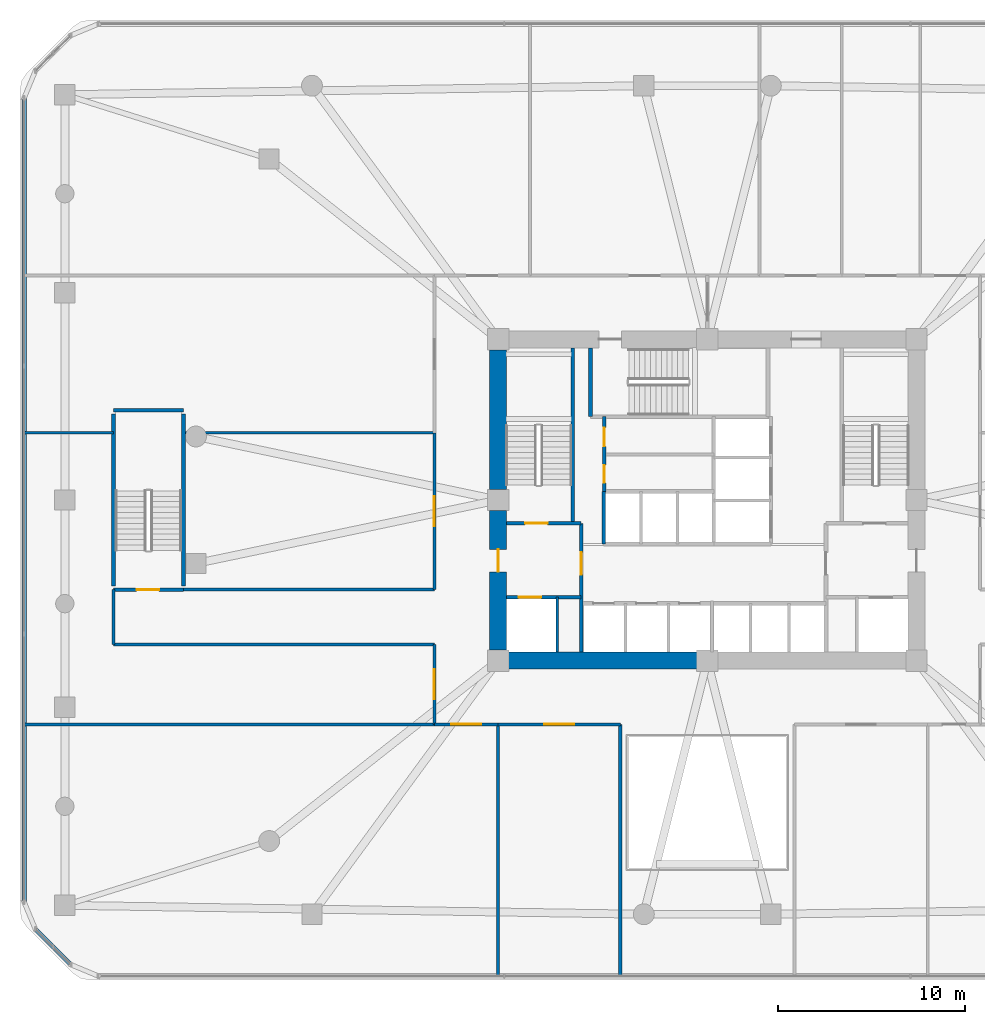
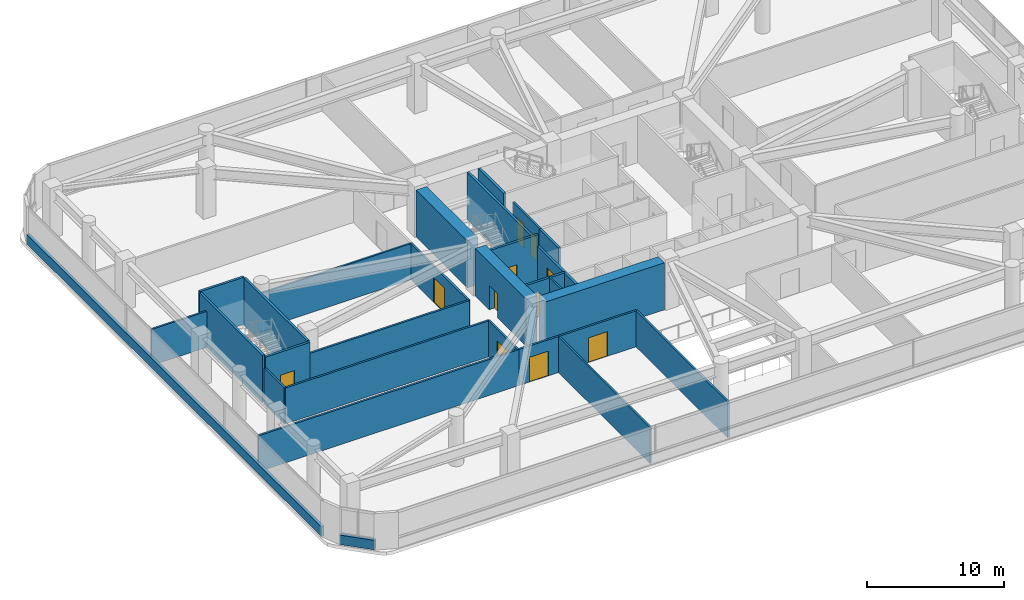
# One storey, part 16 of 21: 29 walls, 11 doors, 11 openings.
"""IFC4 building model written with IfcOpenShell, lengths in metres."""

from ifc_helpers import new_model, si_unit, derived_unit, direction, frame, frame_2d, origin, place, context, subcontext, project, spatial, rectangle, extrude, material, layer, layer_set, type_object, element, fill, save


model = new_model("IFC4")

# Units and contexts
model_context = context("Model", 3, precision=1e-05, world=origin(), true_north=direction((0.0, 1.0)))
body_context = subcontext(model_context, "Body", "Model", "MODEL_VIEW")
ifc_project = project(units=[si_unit("LENGTHUNIT", "METRE"), si_unit("AREAUNIT", "SQUARE_METRE"), si_unit("VOLUMEUNIT", "CUBIC_METRE"), si_unit("PLANEANGLEUNIT", "RADIAN"), si_unit("MASSUNIT", "GRAM", prefix="KILO"), derived_unit("THERMALTRANSMITTANCEUNIT", [(si_unit("POWERUNIT", "WATT"), 1), (si_unit("LENGTHUNIT", "METRE"), -2), (si_unit("THERMODYNAMICTEMPERATUREUNIT", "KELVIN"), -1)])], contexts=[model_context])

# Site, building, storey
site_placement = place(None, origin())
site = spatial("IfcSite", under=ifc_project, at=site_placement, CompositionType="ELEMENT")
building_placement = place(site_placement, origin())
building = spatial("IfcBuilding", under=site, at=building_placement, Name="Koralith Skygarden Medical Center", CompositionType="ELEMENT")
storey_placement = place(building_placement, frame((0.0, 0.0, 5.39990234375)))
storey = spatial("IfcBuildingStorey", under=building, at=storey_placement, Name="L01", CompositionType="ELEMENT", Elevation=5.39990234375)

# Walls
ifc_material_1 = material(Name="Gypsum Board Partition")
ifc_layer_1 = layer(ifc_material_1, 0.14990234375)
ifc_layer_set_1 = layer_set([ifc_layer_1], Name="Gypsum Board Partition")
wall_type_1 = type_object("IfcWallType", Name="Clinical Acoustic Partition 150", PredefinedType="PARTITIONING", material=ifc_layer_set_1)
wall_1_placement = place(storey_placement, frame((25.800048828125, 0.43994140625, 0.0), z_axis=(0.0, 0.0, 1.0), x_axis=(0.0, 1.0, 0.0)))
element("IfcWall", 1, at=wall_1_placement, inside=storey, type_object=wall_type_1, Name="L01 Clinical Acoustic Partition 150 W-PDPART-L01-SL-1", PredefinedType="PARTITIONING", context=body_context, shape_type="SweptSolid", body=[
    extrude(rectangle(XDim=13.449951171875, YDim=0.14990234375, at=frame_2d((6.72509765625, 0.0))), origin(), (0.0, 0.0, 1.0), 3.210205078125),
])
wall_2_placement = place(storey_placement, frame((8.949951171875, 29.5, 0.0), z_axis=(0.0, 0.0, 1.0), x_axis=(1.0, 0.0, 0.0)))
element("IfcWall", 2, at=wall_2_placement, inside=storey, type_object=wall_type_1, Name="L01 Clinical Acoustic Partition 150 W-PDPART-L01-W-NA", PredefinedType="PARTITIONING", context=body_context, shape_type="SweptSolid", body=[
    extrude(rectangle(XDim=13.43994140625, YDim=0.14990234375, at=frame_2d((6.719970703125, 0.0))), origin(), (0.0, 0.0, 1.0), 3.210205078125),
])
wall_3_placement = place(storey_placement, frame((5.199951171875, 29.5, 0.0), z_axis=(0.0, 0.0, 1.0), x_axis=(-1.0, 0.0, 0.0)))
element("IfcWall", 3, at=wall_3_placement, inside=storey, type_object=wall_type_1, Name="L01 Clinical Acoustic Partition 150 W-PDPART-L01-W-NB", PredefinedType="PARTITIONING", context=body_context, shape_type="SweptSolid", body=[
    extrude(rectangle(XDim=4.760009765625, YDim=0.14990234375, at=frame_2d((2.3798828125, 0.0))), origin(), (0.0, 0.0, 1.0), 3.210205078125),
])
ifc_layer_2 = layer(ifc_material_1, 0.1650390625)
ifc_layer_set_2 = layer_set([ifc_layer_2], Name="Gypsum Board Partition")
wall_type_2 = type_object("IfcWallType", Name="Clinical Corridor Partition 165", PredefinedType="PARTITIONING", material=ifc_layer_set_2)
wall_4_placement = place(storey_placement, frame((0.43994140625, 13.889892578125, 0.0), z_axis=(0.0, 0.0, 1.0), x_axis=(1.0, 0.0, 0.0)))
element("IfcWall", 4, at=wall_4_placement, inside=storey, type_object=wall_type_2, Name="L01 Clinical Corridor Partition 165 W-WB-L01-SW", PredefinedType="PARTITIONING", context=body_context, shape_type="SweptSolid", body=[
    extrude(rectangle(XDim=21.949951171875, YDim=0.1650390625, at=frame_2d((10.97509765625, 0.0))), origin(), (0.0, 0.0, 1.0), 3.210205078125),
])
wall_5_placement = place(storey_placement, frame((5.199951171875, 18.169921875, 0.0), z_axis=(0.0, 0.0, 1.0), x_axis=(1.0, 0.0, 0.0)))
element("IfcWall", 5, at=wall_5_placement, inside=storey, type_object=wall_type_2, Name="L01 Clinical Corridor Partition 165 W-PARM-L01-WS", PredefinedType="PARTITIONING", context=body_context, shape_type="SweptSolid", body=[
    extrude(rectangle(XDim=17.18994140625, YDim=0.1650390625, at=frame_2d((8.594970703125, 0.0))), origin(), (0.0, 0.0, 1.0), 3.210205078125),
])
wall_6_placement = place(storey_placement, frame((5.199951171875, 18.169921875, 0.0), z_axis=(0.0, 0.0, 1.0), x_axis=(0.0, 1.0, 0.0)))
element("IfcWall", 6, at=wall_6_placement, inside=storey, type_object=wall_type_2, Name="L01 Clinical Corridor Partition 165 W-PARM-L01-WW", PredefinedType="PARTITIONING", context=body_context, shape_type="SweptSolid", body=[
    extrude(rectangle(XDim=2.93017578125, YDim=0.1650390625, at=frame_2d((1.465087890625, 0.0))), origin(), (0.0, 0.0, 1.0), 3.210205078125),
])
wall_7_placement = place(storey_placement, frame((8.949951171875, 21.10009765625, 0.0), z_axis=(0.0, 0.0, 1.0), x_axis=(1.0, 0.0, 0.0)))
element("IfcWall", 7, at=wall_7_placement, inside=storey, type_object=wall_type_2, Name="L01 Clinical Corridor Partition 165 W-PARM-L01-WN", PredefinedType="PARTITIONING", context=body_context, shape_type="SweptSolid", body=[
    extrude(rectangle(XDim=13.43994140625, YDim=0.1650390625, at=frame_2d((6.719970703125, 0.0))), origin(), (0.0, 0.0, 1.0), 3.210205078125),
])
wall_8_placement = place(storey_placement, frame((32.340087890625, 0.43994140625, 0.0), z_axis=(0.0, 0.0, 1.0), x_axis=(0.0, 1.0, 0.0)))
element("IfcWall", 8, at=wall_8_placement, inside=storey, type_object=wall_type_2, Name="L01 Clinical Corridor Partition 165 W-PATR-L01-W", PredefinedType="PARTITIONING", context=body_context, shape_type="SweptSolid", body=[
    extrude(rectangle(XDim=13.449951171875, YDim=0.1650390625, at=frame_2d((6.72509765625, 0.0))), origin(), (0.0, 0.0, 1.0), 3.210205078125),
])

# Wall, opening, door
wall_9_placement = place(storey_placement, frame((22.389892578125, 13.889892578125, 0.0), z_axis=(0.0, 0.0, 1.0), x_axis=(1.0, 0.0, 0.0)))
wall_9 = element("IfcWall", 9, at=wall_9_placement, inside=storey, type_object=wall_type_2, Name="L01 Clinical Corridor Partition 165 W-PDCOR-L01-SL-1", PredefinedType="PARTITIONING", context=body_context, shape_type="SweptSolid", body=[
    extrude(rectangle(XDim=3.41015625, YDim=0.1650390625, at=frame_2d((1.705078125, 0.0))), origin(), (0.0, 0.0, 1.0), 3.210205078125),
])
opening_1_placement = place(wall_9_placement, frame((0.905029296875, 0.0, 0.0)))
opening_1 = element("IfcOpeningElement", 10, at=opening_1_placement, cuts=wall_9, Name="Opening D-DBL", PredefinedType="OPENING", context=body_context, shape_type="SweptSolid", body=[
    extrude(rectangle(XDim=1.60009765625, YDim=2.199951171875, at=frame_2d((0.800048828125, 1.10009765625))), frame((0.0, 0.092529296875, 0.0), z_axis=(0.0, -1.0, 0.0), x_axis=(1.0, 0.0, 0.0)), (0.0, 0.0, 1.0), 0.18505859375),
])
ifc_material_2 = material(Name="Aluminium 6063-T6", Category="aluminium")
door_type_1 = type_object("IfcDoorType", Name="Double Clinical Suite Door D-DBL 1600", OperationType="NOTDEFINED", PredefinedType="DOOR", material=ifc_material_2)
door_1_placement = place(opening_1_placement, frame((1.60009765625, 0.0, 0.0), z_axis=(0.0, 0.0, 1.0), x_axis=(-1.0, 0.0, 0.0)))
door_1 = element("IfcDoor", 11, at=door_1_placement, inside=storey, type_object=door_type_1, Name="L01 Outpatient Orthopaedic Clinic Door", OperationType="DOUBLE_DOOR_SINGLE_SWING", OverallHeight=2.199951171875, OverallWidth=1.60009765625, PredefinedType="DOOR", context=body_context, shape_type="SweptSolid", body=[
    extrude(rectangle(XDim=1.60009765625, YDim=2.199951171875, at=frame_2d((0.800048828125, 1.10009765625))), frame((0.0, 0.02490234375, 0.0), z_axis=(0.0, -1.0, 0.0), x_axis=(1.0, 0.0, 0.0)), (0.0, 0.0, 1.0), 0.050048828125),
])
fill(opening_1, door_1)

wall_10_placement = place(storey_placement, frame((25.800048828125, 13.889892578125, 0.0), z_axis=(0.0, 0.0, 1.0), x_axis=(1.0, 0.0, 0.0)))
wall_10 = element("IfcWall", 12, at=wall_10_placement, inside=storey, type_object=wall_type_2, Name="L01 Clinical Corridor Partition 165 W-PDCOR-L01-SL-2", PredefinedType="PARTITIONING", context=body_context, shape_type="SweptSolid", body=[
    extrude(rectangle(XDim=6.5400390625, YDim=0.1650390625, at=frame_2d((3.27001953125, 0.0))), origin(), (0.0, 0.0, 1.0), 3.210205078125),
])
opening_2_placement = place(wall_10_placement, frame((2.469970703125, 0.0, 0.0)))
opening_2 = element("IfcOpeningElement", 13, at=opening_2_placement, cuts=wall_10, Name="Opening D-DBL", PredefinedType="OPENING", context=body_context, shape_type="SweptSolid", body=[
    extrude(rectangle(XDim=1.60009765625, YDim=2.199951171875, at=frame_2d((0.800048828125, 1.10009765625))), frame((0.0, 0.092529296875, 0.0), z_axis=(0.0, -1.0, 0.0), x_axis=(1.0, 0.0, 0.0)), (0.0, 0.0, 1.0), 0.18505859375),
])
door_2_placement = place(opening_2_placement, frame((1.60009765625, 0.0, 0.0), z_axis=(0.0, 0.0, 1.0), x_axis=(-1.0, 0.0, 0.0)))
door_2 = element("IfcDoor", 14, at=door_2_placement, inside=storey, type_object=door_type_1, Name="L01 Outpatient Pulmonary Consult Office Door", OperationType="DOUBLE_DOOR_SINGLE_SWING", OverallHeight=2.199951171875, OverallWidth=1.60009765625, PredefinedType="DOOR", context=body_context, shape_type="SweptSolid", body=[
    extrude(rectangle(XDim=1.60009765625, YDim=2.199951171875, at=frame_2d((0.800048828125, 1.10009765625))), frame((0.0, 0.02490234375, 0.0), z_axis=(0.0, -1.0, 0.0), x_axis=(1.0, 0.0, 0.0)), (0.0, 0.0, 1.0), 0.050048828125),
])
fill(opening_2, door_2)

wall_11_placement = place(storey_placement, frame((22.389892578125, 13.889892578125, 0.0), z_axis=(0.0, 0.0, 1.0), x_axis=(0.0, 1.0, 0.0)))
wall_11 = element("IfcWall", 15, at=wall_11_placement, inside=storey, type_object=wall_type_2, Name="L01 Clinical Corridor Partition 165 W-PDCOR-L01-W-1", PredefinedType="PARTITIONING", context=body_context, shape_type="SweptSolid", body=[
    extrude(rectangle(XDim=4.280029296875, YDim=0.1650390625, at=frame_2d((2.14013671875, 0.0))), origin(), (0.0, 0.0, 1.0), 3.210205078125),
])
opening_3_placement = place(wall_11_placement, frame((1.340087890625, 0.0, 0.0)))
opening_3 = element("IfcOpeningElement", 16, at=opening_3_placement, cuts=wall_11, Name="Opening D-DBL", PredefinedType="OPENING", context=body_context, shape_type="SweptSolid", body=[
    extrude(rectangle(XDim=1.60009765625, YDim=2.199951171875, at=frame_2d((0.800048828125, 1.10009765625))), frame((0.0, 0.092529296875, 0.0), z_axis=(0.0, -1.0, 0.0), x_axis=(1.0, 0.0, 0.0)), (0.0, 0.0, 1.0), 0.18505859375),
])
door_3_placement = place(opening_3_placement, frame((1.60009765625, 0.0, 0.0), z_axis=(0.0, 0.0, 1.0), x_axis=(-1.0, 0.0, 0.0)))
door_3 = element("IfcDoor", 17, at=door_3_placement, inside=storey, type_object=door_type_1, Name="L01 Outpatient Pulmonary Function Lab Door", OperationType="DOUBLE_DOOR_SINGLE_SWING", OverallHeight=2.199951171875, OverallWidth=1.60009765625, PredefinedType="DOOR", context=body_context, shape_type="SweptSolid", body=[
    extrude(rectangle(XDim=1.60009765625, YDim=2.199951171875, at=frame_2d((0.800048828125, 1.10009765625))), frame((0.0, 0.02490234375, 0.0), z_axis=(0.0, -1.0, 0.0), x_axis=(1.0, 0.0, 0.0)), (0.0, 0.0, 1.0), 0.050048828125),
])
fill(opening_3, door_3)

wall_12_placement = place(storey_placement, frame((22.389892578125, 21.10009765625, 0.0), z_axis=(0.0, 0.0, 1.0), x_axis=(0.0, 1.0, 0.0)))
wall_12 = element("IfcWall", 18, at=wall_12_placement, inside=storey, type_object=wall_type_2, Name="L01 Clinical Corridor Partition 165 W-PDCOR-L01-W-2", PredefinedType="PARTITIONING", context=body_context, shape_type="SweptSolid", body=[
    extrude(rectangle(XDim=8.39990234375, YDim=0.1650390625, at=frame_2d((4.199951171875, 0.0))), origin(), (0.0, 0.0, 1.0), 3.210205078125),
])
opening_4_placement = place(wall_12_placement, frame((3.39990234375, 0.0, 0.0)))
opening_4 = element("IfcOpeningElement", 19, at=opening_4_placement, cuts=wall_12, Name="Opening D-DBL", PredefinedType="OPENING", context=body_context, shape_type="SweptSolid", body=[
    extrude(rectangle(XDim=1.60009765625, YDim=2.199951171875, at=frame_2d((0.800048828125, 1.10009765625))), frame((0.0, 0.092529296875, 0.0), z_axis=(0.0, -1.0, 0.0), x_axis=(1.0, 0.0, 0.0)), (0.0, 0.0, 1.0), 0.18505859375),
])
door_4_placement = place(opening_4_placement, frame((1.60009765625, 0.0, 0.0), z_axis=(0.0, 0.0, 1.0), x_axis=(-1.0, 0.0, 0.0)))
door_4 = element("IfcDoor", 20, at=door_4_placement, inside=storey, type_object=door_type_1, Name="L01 Clinical Trials Consultation Office Door", OperationType="DOUBLE_DOOR_SINGLE_SWING", OverallHeight=2.199951171875, OverallWidth=1.60009765625, PredefinedType="DOOR", context=body_context, shape_type="SweptSolid", body=[
    extrude(rectangle(XDim=1.60009765625, YDim=2.199951171875, at=frame_2d((0.800048828125, 1.10009765625))), frame((0.0, 0.02490234375, 0.0), z_axis=(0.0, -1.0, 0.0), x_axis=(1.0, 0.0, 0.0)), (0.0, 0.0, 1.0), 0.050048828125),
])
fill(opening_4, door_4)

ifc_layer_3 = layer(ifc_material_1, 0.199951171875)
ifc_layer_set_3 = layer_set([ifc_layer_3], Name="Gypsum Board Partition")
wall_type_3 = type_object("IfcWallType", Name="Fire Shaft Wall 200", PredefinedType="SOLIDWALL", material=ifc_layer_set_3)
wall_13_placement = place(storey_placement, frame((26.25, 20.699951171875, 0.0), z_axis=(0.0, 0.0, 1.0), x_axis=(1.0, 0.0, 0.0)))
wall_13 = element("IfcWall", 21, at=wall_13_placement, inside=storey, type_object=wall_type_3, Name="L01 Fire Shaft Wall 200 W-CORE-L01-FF1-N", PredefinedType="SOLIDWALL", context=body_context, shape_type="SweptSolid", body=[
    extrude(rectangle(XDim=4.0, YDim=0.199951171875, at=frame_2d((2.0, 0.0))), origin(), (0.0, 0.0, 1.0), 3.210205078125),
])
opening_5_placement = place(wall_13_placement, frame((0.64990234375, 0.0, 0.0)))
opening_5 = element("IfcOpeningElement", 22, at=opening_5_placement, cuts=wall_13, Name="Opening LD-FF", PredefinedType="OPENING", context=body_context, shape_type="SweptSolid", body=[
    extrude(rectangle(XDim=1.199951171875, YDim=2.14990234375, at=frame_2d((0.60009765625, 1.074951171875))), frame((0.0, 0.10986328125, 0.0), z_axis=(0.0, -1.0, 0.0), x_axis=(1.0, 0.0, 0.0)), (0.0, 0.0, 1.0), 0.219970703125),
])
ifc_material_3 = material(Name="Steel ASTM A500 Grade C", Category="steel")
door_type_2 = type_object("IfcDoorType", Name="Fire Lift Sliding Landing Door LD-FF 1200", OperationType="NOTDEFINED", PredefinedType="DOOR", material=ifc_material_3)
door_5_placement = place(opening_5_placement, origin())
door_5 = element("IfcDoor", 23, at=door_5_placement, inside=storey, type_object=door_type_2, Name="L01 Fire Service Elevator FF1 Landing Door", OperationType="SLIDING_TO_LEFT", OverallHeight=2.14990234375, OverallWidth=1.199951171875, PredefinedType="DOOR", context=body_context, shape_type="SweptSolid", body=[
    extrude(rectangle(XDim=1.199951171875, YDim=2.14990234375, at=frame_2d((0.60009765625, 1.074951171875))), frame((0.0, 0.02490234375, 0.0), z_axis=(0.0, -1.0, 0.0), x_axis=(1.0, 0.0, 0.0)), (0.0, 0.0, 1.0), 0.050048828125),
])
fill(opening_5, door_5)

wall_14_placement = place(storey_placement, frame((30.25, 17.75, 0.0), z_axis=(0.0, 0.0, 1.0), x_axis=(0.0, 1.0, 0.0)))
wall_14 = element("IfcWall", 24, at=wall_14_placement, inside=storey, type_object=wall_type_3, Name="L01 Fire Shaft Wall 200 W-CORE-L01-FSAEW-E", PredefinedType="SOLIDWALL", context=body_context, shape_type="SweptSolid", body=[
    extrude(rectangle(XDim=6.89990234375, YDim=0.199951171875, at=frame_2d((3.449951171875, 0.0))), origin(), (0.0, 0.0, 1.0), 3.210205078125),
])
opening_6_placement = place(wall_14_placement, frame((4.14990234375, 0.0, 0.0)))
opening_6 = element("IfcOpeningElement", 25, at=opening_6_placement, cuts=wall_14, Name="Opening D-ST60", PredefinedType="OPENING", context=body_context, shape_type="SweptSolid", body=[
    extrude(rectangle(XDim=1.199951171875, YDim=2.14990234375, at=frame_2d((0.60009765625, 1.074951171875))), frame((0.0, 0.10986328125, 0.0), z_axis=(0.0, -1.0, 0.0), x_axis=(1.0, 0.0, 0.0)), (0.0, 0.0, 1.0), 0.219970703125),
])
door_type_3 = type_object("IfcDoorType", Name="Smokeproof Stair Fire Door FD60S 1200", OperationType="NOTDEFINED", PredefinedType="DOOR", material=ifc_material_3)
door_6_placement = place(opening_6_placement, origin())
door_6 = element("IfcDoor", 26, at=door_6_placement, inside=storey, type_object=door_type_3, Name="L01 West Firefighting Lobby Inner Fire Door", OperationType="SINGLE_SWING_LEFT", OverallHeight=2.14990234375, OverallWidth=1.199951171875, PredefinedType="DOOR", context=body_context, shape_type="SweptSolid", body=[
    extrude(rectangle(XDim=1.199951171875, YDim=2.14990234375, at=frame_2d((0.60009765625, 1.074951171875))), frame((0.0, 0.02490234375, 0.0), z_axis=(0.0, -1.0, 0.0), x_axis=(1.0, 0.0, 0.0)), (0.0, 0.0, 1.0), 0.050048828125),
])
fill(opening_6, door_6)

# Walls
wall_15_placement = place(storey_placement, frame((31.449951171875, 23.5400390625, 0.0), z_axis=(0.0, 0.0, 1.0), x_axis=(0.0, 1.0, 0.0)))
element("IfcWall", 27, at=wall_15_placement, inside=storey, type_object=wall_type_3, Name="L01 Fire Shaft Wall 200 W-CORE-L01-PH-W", PredefinedType="SOLIDWALL", context=body_context, shape_type="SweptSolid", body=[
    extrude(rectangle(XDim=2.81005859375, YDim=0.199951171875, at=frame_2d((1.405029296875, 0.0))), origin(), (0.0, 0.0, 1.0), 3.210205078125),
])
ifc_material_4 = material(Name="Warm Oolitic Limestone Cladding", Category="masonry")
ifc_layer_4 = layer(ifc_material_4, 0.239990234375)
ifc_layer_set_4 = layer_set([ifc_layer_4], Name="Warm Oolitic Limestone Cladding")
wall_type_4 = type_object("IfcWallType", Name="Limestone Spandrel Sill Backup Wall 240", PredefinedType="SOLIDWALL", material=ifc_layer_set_4)
wall_16_placement = place(storey_placement, frame((0.419921875, 47.4208984375, 0.0), z_axis=(0.0, 0.0, 1.0), x_axis=(0.0, -1.0, 0.0)))
element("IfcWall", 28, at=wall_16_placement, inside=storey, type_object=wall_type_4, Name="L01 Sill Spandrel Wall W", PredefinedType="SOLIDWALL", context=body_context, shape_type="SweptSolid", body=[
    extrude(rectangle(XDim=43.0419921875, YDim=0.239990234375, at=frame_2d((21.52099609375, 0.0))), origin(), (0.0, 0.0, 1.0), 0.85009765625),
])
wall_17_placement = place(storey_placement, frame((1.02099609375, 2.927978515625, 0.0), z_axis=(0.0, 0.0, 1.0), x_axis=(0.707106781187, -0.707106781187, 0.0)))
element("IfcWall", 29, at=wall_17_placement, inside=storey, type_object=wall_type_4, Name="L01 Sill Spandrel Wall SW", PredefinedType="SOLIDWALL", context=body_context, shape_type="SweptSolid", body=[
    extrude(rectangle(XDim=2.69677734375, YDim=0.239990234375, at=frame_2d((1.348388671875, 0.0))), origin(), (0.0, 0.0, 1.0), 0.85009765625),
])
ifc_material_5 = material(Name="Concrete C70/85", Category="concrete")
ifc_layer_5 = layer(ifc_material_5, 0.89990234375)
ifc_layer_set_5 = layer_set([ifc_layer_5], Name="Concrete C70/85")
wall_type_5 = type_object("IfcWallType", Name="Lower Core Shear Wall 900", PredefinedType="SHEAR", material=ifc_layer_set_5)
wall_18_placement = place(storey_placement, frame((26.364990234375, 17.300048828125, 0.0), z_axis=(0.0, 0.0, 1.0), x_axis=(1.0, 0.0, 0.0)))
element("IfcWall", 30, at=wall_18_placement, inside=storey, type_object=wall_type_5, Name="L01 Core Shear Wall Segment 1", PredefinedType="SHEAR", context=body_context, shape_type="SweptSolid", body=[
    extrude(rectangle(XDim=10.070068359375, YDim=0.89990234375, at=frame_2d((5.03515625, 0.0))), origin(), (0.0, 0.0, 1.0), 4.2001953125),
])
wall_19_placement = place(storey_placement, frame((25.800048828125, 33.93505859375, 0.0), z_axis=(0.0, 0.0, 1.0), x_axis=(0.0, -1.0, 0.0)))
element("IfcWall", 31, at=wall_19_placement, inside=storey, type_object=wall_type_5, Name="L01 Core Shear Wall Segment 7", PredefinedType="SHEAR", context=body_context, shape_type="SweptSolid", body=[
    extrude(rectangle(XDim=7.469970703125, YDim=0.89990234375, at=frame_2d((3.73486328125, 0.0))), origin(), (0.0, 0.0, 1.0), 4.2001953125),
])

# Wall, opening, door
wall_20_placement = place(storey_placement, frame((25.800048828125, 25.3349609375, 0.0), z_axis=(0.0, 0.0, 1.0), x_axis=(0.0, -1.0, 0.0)))
wall_20 = element("IfcWall", 32, at=wall_20_placement, inside=storey, type_object=wall_type_5, Name="L01 Core Shear Wall Segment 8", PredefinedType="SHEAR", context=body_context, shape_type="SweptSolid", body=[
    extrude(rectangle(XDim=7.469970703125, YDim=0.89990234375, at=frame_2d((3.73486328125, 0.0))), origin(), (0.0, 0.0, 1.0), 4.2001953125),
])
opening_7_placement = place(wall_20_placement, frame((2.0849609375, 0.0, 0.0)))
opening_7 = element("IfcOpeningElement", 33, at=opening_7_placement, cuts=wall_20, Name="Opening D-ST60", PredefinedType="OPENING", context=body_context, shape_type="SweptSolid", body=[
    extrude(rectangle(XDim=1.199951171875, YDim=2.14990234375, at=frame_2d((0.60009765625, 1.074951171875))), frame((0.0, 0.4599609375, 0.0), z_axis=(0.0, -1.0, 0.0), x_axis=(1.0, 0.0, 0.0)), (0.0, 0.0, 1.0), 0.919921875),
])
door_7_placement = place(opening_7_placement, frame((1.199951171875, 0.0, 0.0), z_axis=(0.0, 0.0, 1.0), x_axis=(-1.0, 0.0, 0.0)))
door_7 = element("IfcDoor", 34, at=door_7_placement, inside=storey, type_object=door_type_3, Name="L01 West Corridor to Firefighting Lobby Door", OperationType="SINGLE_SWING_LEFT", OverallHeight=2.14990234375, OverallWidth=1.199951171875, PredefinedType="DOOR", context=body_context, shape_type="SweptSolid", body=[
    extrude(rectangle(XDim=1.199951171875, YDim=2.14990234375, at=frame_2d((0.60009765625, 1.074951171875))), frame((0.0, 0.02490234375, 0.0), z_axis=(0.0, -1.0, 0.0), x_axis=(1.0, 0.0, 0.0)), (0.0, 0.0, 1.0), 0.050048828125),
])
fill(opening_7, door_7)

# Wall, openings, doors
ifc_layer_6 = layer(ifc_material_1, 0.1650390625)
ifc_layer_set_6 = layer_set([ifc_layer_6], Name="Gypsum Board Partition")
wall_type_6 = type_object("IfcWallType", Name="Plumbing Wet Wall 165", PredefinedType="PLUMBINGWALL", material=ifc_layer_set_6)
wall_21_placement = place(storey_placement, frame((31.47998046875, 26.320068359375, 0.0), z_axis=(0.0, 0.0, 1.0), x_axis=(0.0, 1.0, 0.0)))
wall_21 = element("IfcWall", 35, at=wall_21_placement, inside=storey, type_object=wall_type_6, Name="L01 Plumbing Wet Wall 165 W-CORE-L01-FLEX-W", PredefinedType="PLUMBINGWALL", context=body_context, shape_type="SweptSolid", body=[
    extrude(rectangle(XDim=4.0400390625, YDim=0.1650390625, at=frame_2d((2.02001953125, 0.0))), origin(), (0.0, 0.0, 1.0), 3.210205078125),
])
opening_8_placement = place(wall_21_placement, frame((0.5, 0.0, 0.0)))
opening_8 = element("IfcOpeningElement", 36, at=opening_8_placement, cuts=wall_21, Name="Opening D-WC", PredefinedType="OPENING", context=body_context, shape_type="SweptSolid", body=[
    extrude(rectangle(XDim=0.949951171875, YDim=2.10009765625, at=frame_2d((0.47509765625, 1.050048828125))), frame((0.0, 0.092529296875, 0.0), z_axis=(0.0, -1.0, 0.0), x_axis=(1.0, 0.0, 0.0)), (0.0, 0.0, 1.0), 0.18505859375),
])
opening_9_placement = place(wall_21_placement, frame((2.449951171875, 0.0, 0.0)))
opening_9 = element("IfcOpeningElement", 37, at=opening_9_placement, cuts=wall_21, Name="Opening D-SUP", PredefinedType="OPENING", context=body_context, shape_type="SweptSolid", body=[
    extrude(rectangle(XDim=1.0, YDim=2.14990234375, at=frame_2d((0.5, 1.074951171875))), frame((0.0, 0.092529296875, 0.0), z_axis=(0.0, -1.0, 0.0), x_axis=(1.0, 0.0, 0.0)), (0.0, 0.0, 1.0), 0.18505859375),
])
door_type_4 = type_object("IfcDoorType", Name="Accessible Toilet Door D-WC 950", OperationType="NOTDEFINED", PredefinedType="DOOR", material=ifc_material_2)
door_8_placement = place(opening_8_placement, frame((0.949951171875, 0.0, 0.0), z_axis=(0.0, 0.0, 1.0), x_axis=(-1.0, 0.0, 0.0)))
door_8 = element("IfcDoor", 38, at=door_8_placement, inside=storey, type_object=door_type_4, Name="L01 Core Accessible WC Door", OperationType="SINGLE_SWING_LEFT", OverallHeight=2.10009765625, OverallWidth=0.949951171875, PredefinedType="DOOR", context=body_context, shape_type="SweptSolid", body=[
    extrude(rectangle(XDim=0.949951171875, YDim=2.10009765625, at=frame_2d((0.47509765625, 1.050048828125))), frame((0.0, 0.02490234375, 0.0), z_axis=(0.0, -1.0, 0.0), x_axis=(1.0, 0.0, 0.0)), (0.0, 0.0, 1.0), 0.050048828125),
])
fill(opening_8, door_8)
door_type_5 = type_object("IfcDoorType", Name="Clinical Support Door D-SUP 1000", OperationType="NOTDEFINED", PredefinedType="DOOR", material=ifc_material_2)
door_9_placement = place(opening_9_placement, frame((1.0, 0.0, 0.0), z_axis=(0.0, 0.0, 1.0), x_axis=(-1.0, 0.0, 0.0)))
door_9 = element("IfcDoor", 39, at=door_9_placement, inside=storey, type_object=door_type_5, Name="L01 Core Clean Utility Door", OperationType="SINGLE_SWING_RIGHT", OverallHeight=2.14990234375, OverallWidth=1.0, PredefinedType="DOOR", context=body_context, shape_type="SweptSolid", body=[
    extrude(rectangle(XDim=1.0, YDim=2.14990234375, at=frame_2d((0.5, 1.074951171875))), frame((0.0, 0.02490234375, 0.0), z_axis=(0.0, -1.0, 0.0), x_axis=(1.0, 0.0, 0.0)), (0.0, 0.0, 1.0), 0.050048828125),
])
fill(opening_9, door_9)

# Walls
ifc_layer_7 = layer(ifc_material_1, 0.14990234375)
ifc_layer_set_7 = layer_set([ifc_layer_7], Name="Gypsum Board Partition")
wall_type_7 = type_object("IfcWallType", Name="Shaft Partition Wall 150", PredefinedType="PARTITIONING", material=ifc_layer_set_7)
wall_22_placement = place(storey_placement, frame((28.969970703125, 17.75, 0.0), z_axis=(0.0, 0.0, 1.0), x_axis=(0.0, 1.0, 0.0)))
element("IfcWall", 40, at=wall_22_placement, inside=storey, type_object=wall_type_7, Name="L01 Shaft Partition Wall 150 W-CORE-L01-RSRW-DIV", PredefinedType="PARTITIONING", context=body_context, shape_type="SweptSolid", body=[
    extrude(rectangle(XDim=2.949951171875, YDim=0.14990234375, at=frame_2d((1.47509765625, 0.0))), origin(), (0.0, 0.0, 1.0), 3.210205078125),
])
ifc_material_6 = material(Name="Concrete C45/55", Category="concrete")
ifc_layer_8 = layer(ifc_material_6, 0.199951171875)
ifc_layer_set_8 = layer_set([ifc_layer_8], Name="Concrete C45/55")
wall_type_8 = type_object("IfcWallType", Name="Structural Stair Shaft Wall 200", PredefinedType="SHEAR", material=ifc_layer_set_8)
wall_23_placement = place(storey_placement, frame((29.800048828125, 24.64990234375, 0.0), z_axis=(0.0, 0.0, 1.0), x_axis=(0.0, 1.0, 0.0)))
element("IfcWall", 41, at=wall_23_placement, inside=storey, type_object=wall_type_8, Name="L01 Structural Stair Shaft Wall 200 W-CORE-L01-ST1-E", PredefinedType="SHEAR", context=body_context, shape_type="SweptSolid", body=[
    extrude(rectangle(XDim=9.400146484375, YDim=0.199951171875, at=frame_2d((4.7001953125, 0.0))), origin(), (0.0, 0.0, 1.0), 4.2001953125),
])

# Wall, opening, door
wall_24_placement = place(storey_placement, frame((26.25, 24.64990234375, 0.0), z_axis=(0.0, 0.0, 1.0), x_axis=(1.0, 0.0, 0.0)))
wall_24 = element("IfcWall", 42, at=wall_24_placement, inside=storey, type_object=wall_type_8, Name="L01 Structural Stair Shaft Wall 200 W-CORE-L01-ST1-S", PredefinedType="SHEAR", context=body_context, shape_type="SweptSolid", body=[
    extrude(rectangle(XDim=4.0, YDim=0.199951171875, at=frame_2d((2.0, 0.0))), origin(), (0.0, 0.0, 1.0), 4.2001953125),
])
opening_10_placement = place(wall_24_placement, frame((1.0, 0.0, 0.0)))
opening_10 = element("IfcOpeningElement", 43, at=opening_10_placement, cuts=wall_24, Name="Opening D-ST60", PredefinedType="OPENING", context=body_context, shape_type="SweptSolid", body=[
    extrude(rectangle(XDim=1.199951171875, YDim=2.14990234375, at=frame_2d((0.60009765625, 1.074951171875))), frame((0.0, 0.10986328125, 0.0), z_axis=(0.0, -1.0, 0.0), x_axis=(1.0, 0.0, 0.0)), (0.0, 0.0, 1.0), 0.219970703125),
])
door_10_placement = place(opening_10_placement, origin())
door_10 = element("IfcDoor", 44, at=door_10_placement, inside=storey, type_object=door_type_3, Name="L01 Exit Stair ST1 Fire Door", OperationType="SINGLE_SWING_LEFT", OverallHeight=2.14990234375, OverallWidth=1.199951171875, PredefinedType="DOOR", context=body_context, shape_type="SweptSolid", body=[
    extrude(rectangle(XDim=1.199951171875, YDim=2.14990234375, at=frame_2d((0.60009765625, 1.074951171875))), frame((0.0, 0.02490234375, 0.0), z_axis=(0.0, -1.0, 0.0), x_axis=(1.0, 0.0, 0.0)), (0.0, 0.0, 1.0), 0.050048828125),
])
fill(opening_10, door_10)

# Wall
wall_25_placement = place(storey_placement, frame((30.75, 30.360107421875, 0.0), z_axis=(0.0, 0.0, 1.0), x_axis=(0.0, 1.0, 0.0)))
element("IfcWall", 45, at=wall_25_placement, inside=storey, type_object=wall_type_8, Name="L01 Structural Stair Shaft Wall 200 W-CORE-L01-ST3-W", PredefinedType="SHEAR", context=body_context, shape_type="SweptSolid", body=[
    extrude(rectangle(XDim=3.68994140625, YDim=0.199951171875, at=frame_2d((1.844970703125, 0.0))), origin(), (0.0, 0.0, 1.0), 4.2001953125),
])

# Wall, opening, door
wall_26_placement = place(storey_placement, frame((5.199951171875, 21.10009765625, 0.0), z_axis=(0.0, 0.0, 1.0), x_axis=(1.0, 0.0, 0.0)))
wall_26 = element("IfcWall", 46, at=wall_26_placement, inside=storey, type_object=wall_type_8, Name="L01 Structural Stair Shaft Wall 200 W-ST4-L01-S", PredefinedType="SHEAR", context=body_context, shape_type="SweptSolid", body=[
    extrude(rectangle(XDim=3.75, YDim=0.199951171875, at=frame_2d((1.875, 0.0))), origin(), (0.0, 0.0, 1.0), 4.2001953125),
])
opening_11_placement = place(wall_26_placement, frame((1.25, 0.0, 0.0)))
opening_11 = element("IfcOpeningElement", 47, at=opening_11_placement, cuts=wall_26, Name="Opening D-ST60", PredefinedType="OPENING", context=body_context, shape_type="SweptSolid", body=[
    extrude(rectangle(XDim=1.199951171875, YDim=2.14990234375, at=frame_2d((0.60009765625, 1.074951171875))), frame((0.0, 0.10986328125, 0.0), z_axis=(0.0, -1.0, 0.0), x_axis=(1.0, 0.0, 0.0)), (0.0, 0.0, 1.0), 0.219970703125),
])
door_11_placement = place(opening_11_placement, origin())
door_11 = element("IfcDoor", 48, at=door_11_placement, inside=storey, type_object=door_type_3, Name="L01 Exit Stair ST4 Fire Door", OperationType="SINGLE_SWING_LEFT", OverallHeight=2.14990234375, OverallWidth=1.199951171875, PredefinedType="DOOR", context=body_context, shape_type="SweptSolid", body=[
    extrude(rectangle(XDim=1.199951171875, YDim=2.14990234375, at=frame_2d((0.60009765625, 1.074951171875))), frame((0.0, 0.02490234375, 0.0), z_axis=(0.0, -1.0, 0.0), x_axis=(1.0, 0.0, 0.0)), (0.0, 0.0, 1.0), 0.050048828125),
])
fill(opening_11, door_11)

# Walls
wall_27_placement = place(storey_placement, frame((5.199951171875, 30.699951171875, 0.0), z_axis=(0.0, 0.0, 1.0), x_axis=(1.0, 0.0, 0.0)))
element("IfcWall", 49, at=wall_27_placement, inside=storey, type_object=wall_type_8, Name="L01 Structural Stair Shaft Wall 200 W-ST4-L01-N", PredefinedType="SHEAR", context=body_context, shape_type="SweptSolid", body=[
    extrude(rectangle(XDim=3.75, YDim=0.199951171875, at=frame_2d((1.875, 0.0))), origin(), (0.0, 0.0, 1.0), 4.2001953125),
])
for number, where, z_axis, x_axis, name in (
    (50, (5.199951171875, 21.300048828125, 0.0), (0.0, 0.0, 1.0), (0.0, 1.0, 0.0), "L01 Structural Stair Shaft Wall 200 W-ST4-L01-W"),
    (51, (8.949951171875, 21.300048828125, 0.0), (0.0, 0.0, 1.0), (0.0, 1.0, 0.0), "L01 Structural Stair Shaft Wall 200 W-ST4-L01-E"),
):
    element("IfcWall", number, at=place(storey_placement, frame(where, z_axis=z_axis, x_axis=x_axis)), inside=storey, type_object=wall_type_8, Name=name, PredefinedType="SHEAR", context=body_context, shape_type="SweptSolid", body=[
        extrude(rectangle(XDim=9.199951171875, YDim=0.199951171875, at=frame_2d((4.60009765625, 0.0))), origin(), (0.0, 0.0, 1.0), 4.2001953125),
    ])

save(model, "model.ifc")
